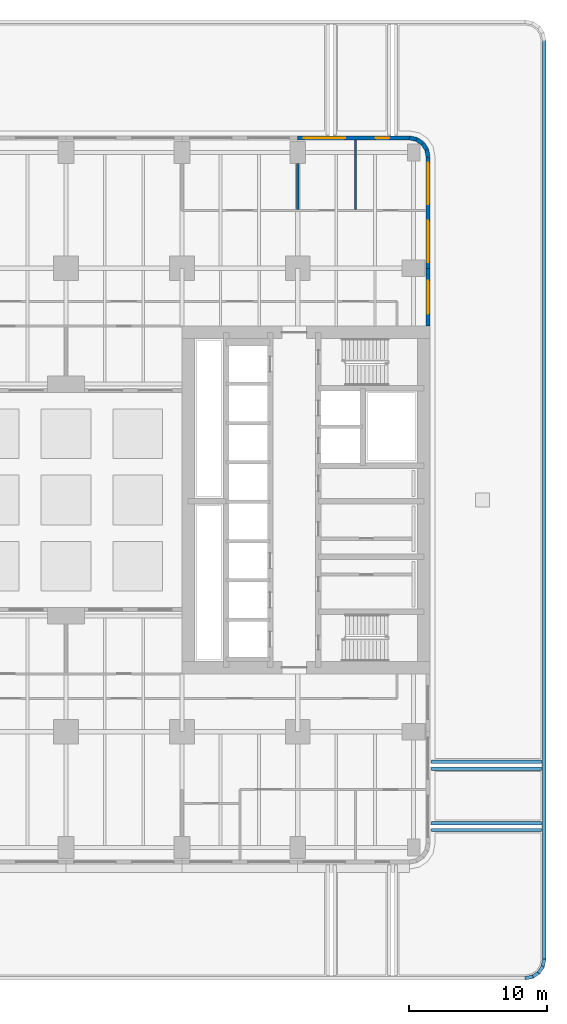
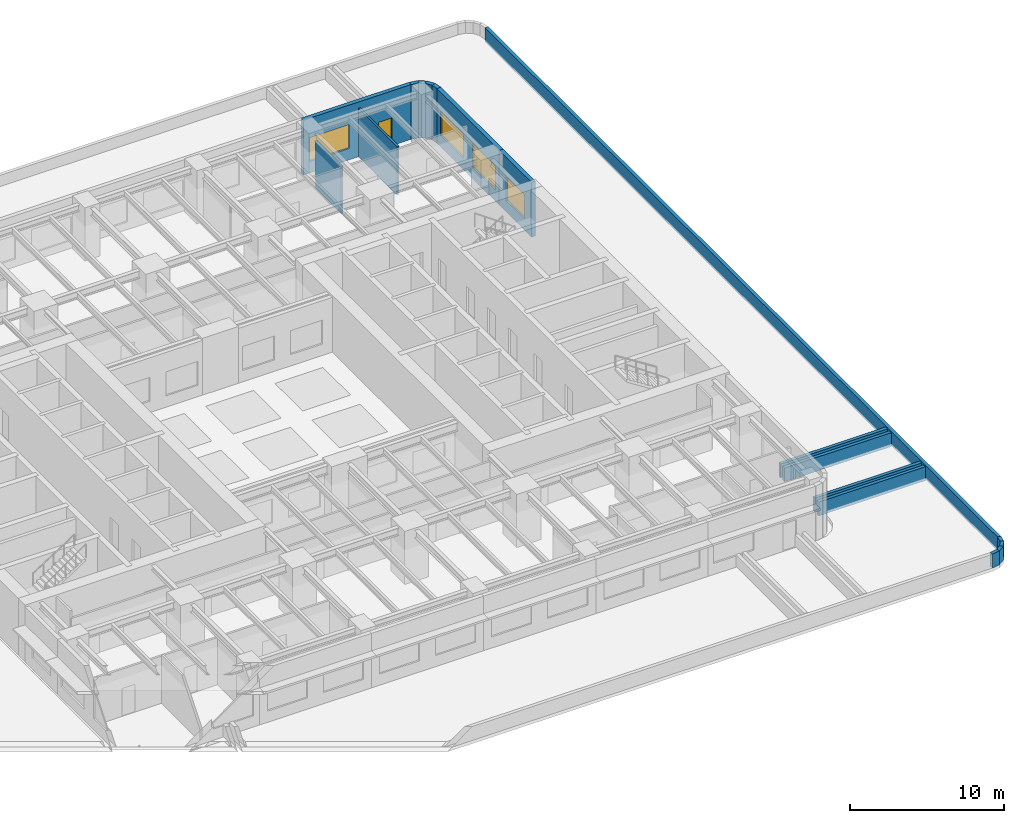
# One storey, part 9 of 17: 18 walls, 4 windows, 1 door, 5 openings.
"""IFC4 building model written with IfcOpenShell, lengths in metres."""

from ifc_helpers import new_model, si_unit, direction, frame, frame_2d, origin, place, context, subcontext, project, spatial, rectangle, extrude, material, layer, layer_set, type_object, element, fill, save


model = new_model("IFC4")

# Units and contexts
model_context = context("Model", 3, precision=1e-05, world=origin(), true_north=direction((0.0, 1.0)))
body_context = subcontext(model_context, "Body", "Model", "MODEL_VIEW")
ifc_project = project(units=[si_unit("LENGTHUNIT", "METRE"), si_unit("AREAUNIT", "SQUARE_METRE"), si_unit("VOLUMEUNIT", "CUBIC_METRE"), si_unit("PLANEANGLEUNIT", "RADIAN"), si_unit("MASSUNIT", "GRAM", prefix="KILO")], contexts=[model_context])

# Site, building, storey
site_placement = place(None, origin())
site = spatial("IfcSite", under=ifc_project, at=site_placement, CompositionType="ELEMENT")
building_placement = place(site_placement, origin())
building = spatial("IfcBuilding", under=site, at=building_placement, Name="Claustro Exchange Tower", CompositionType="ELEMENT")
storey_placement = place(building_placement, frame((0.0, 0.0, 18.89990234375)))
storey = spatial("IfcBuildingStorey", under=building, at=storey_placement, Name="L04", CompositionType="ELEMENT", Elevation=18.89990234375)

# Walls
ifc_material_1 = material(Name="Gypsum board on steel studs", Category="steel")
ifc_layer_1 = layer(ifc_material_1, 0.14990234375)
ifc_layer_set_1 = layer_set([ifc_layer_1], Name="Gypsum board on steel studs")
wall_type_1 = type_object("IfcWallType", Name="P1 150 plasterboard partition", PredefinedType="PARTITIONING", material=ifc_layer_set_1)
wall_1_placement = place(storey_placement, frame((42.0, 46.27392578125, 0.0), z_axis=(0.0, 0.0, 1.0), x_axis=(0.0, 1.0, 0.0)))
element("IfcWall", 1, at=wall_1_placement, inside=storey, type_object=wall_type_1, Name="Partition P1 L04", PredefinedType="PARTITIONING", context=body_context, shape_type="SweptSolid", body=[
    extrude(rectangle(XDim=3.3271484375, YDim=0.14990234375, at=frame_2d((1.66357421875, 0.0))), origin(), (0.0, 0.0, 1.0), 3.739990234375),
])
wall_2_placement = place(storey_placement, frame((46.199951171875, 46.27392578125, 0.0), z_axis=(0.0, 0.0, 1.0), x_axis=(0.0, 1.0, 0.0)))
element("IfcWall", 2, at=wall_2_placement, inside=storey, type_object=wall_type_1, Name="Partition P1 L04", PredefinedType="PARTITIONING", context=body_context, shape_type="SweptSolid", body=[
    extrude(rectangle(XDim=5.028076171875, YDim=0.14990234375, at=frame_2d((2.51416015625, 0.0))), origin(), (0.0, 0.0, 1.0), 3.840087890625),
])

# Wall, openings, door, window
ifc_material_2 = material(Name="Concrete HA-40 (C40/50), precast, white cement, acid-etched", Category="concrete")
ifc_layer_2 = layer(ifc_material_2, 0.300048828125)
ifc_layer_set_2 = layer_set([ifc_layer_2], Name="Concrete HA-40 (C40/50), precast, white cement, acid-etched")
wall_type_2 = type_object("IfcWallType", Name="PC1 300 precast concrete pier panel", PredefinedType="SOLIDWALL", material=ifc_layer_set_2)
wall_3_placement = place(storey_placement, frame((42.0, 51.449951171875, 0.0), z_axis=(0.0, 0.0, 1.0), x_axis=(1.0, 0.0, 0.0)))
wall_3 = element("IfcWall", 3, at=wall_3_placement, inside=storey, type_object=wall_type_2, Name="Precast pier panel PC1 L04", PredefinedType="SOLIDWALL", context=body_context, shape_type="SweptSolid", body=[
    extrude(rectangle(XDim=8.085205078125, YDim=0.300048828125, at=frame_2d((4.04248046875, 0.0))), origin(), (0.0, 0.0, 1.0), 4.340087890625),
])
opening_1_placement = place(wall_3_placement, frame((0.442626953125, 0.0, 0.89990234375)))
opening_1 = element("IfcOpeningElement", 4, at=opening_1_placement, cuts=wall_3, Name="Opening W1", PredefinedType="OPENING", context=body_context, shape_type="SweptSolid", body=[
    extrude(rectangle(XDim=3.0, YDim=1.89990234375, at=frame_2d((1.5, 0.949951171875))), frame((0.0, 0.159912109375, 0.0), z_axis=(0.0, -1.0, 0.0), x_axis=(1.0, 0.0, 0.0)), (0.0, 0.0, 1.0), 0.320068359375),
])
opening_2_placement = place(wall_3_placement, frame((5.642578125, 0.0, 0.0)))
opening_2 = element("IfcOpeningElement", 5, at=opening_2_placement, cuts=wall_3, Name="Opening DE2", PredefinedType="OPENING", context=body_context, shape_type="SweptSolid", body=[
    extrude(rectangle(XDim=1.0, YDim=2.199951171875, at=frame_2d((0.5, 1.10009765625))), frame((0.0, 0.159912109375, 0.0), z_axis=(0.0, -1.0, 0.0), x_axis=(1.0, 0.0, 0.0)), (0.0, 0.0, 1.0), 0.320068359375),
])
ifc_material_3 = material(Name="Steel door, painted", Category="steel")
door_type = type_object("IfcDoorType", Name="DE2 1000 x 2200 external single door", OperationType="SINGLE_SWING_LEFT", PredefinedType="DOOR", material=ifc_material_3)
door_placement = place(opening_2_placement, origin())
door = element("IfcDoor", 6, at=door_placement, inside=storey, type_object=door_type, Name="Podium roof access door L04", OperationType="SINGLE_SWING_RIGHT", OverallHeight=2.199951171875, OverallWidth=1.0, PredefinedType="DOOR", context=body_context, shape_type="SweptSolid", body=[
    extrude(rectangle(XDim=1.0, YDim=2.199951171875, at=frame_2d((0.5, 1.10009765625))), frame((0.0, 0.02490234375, 0.0), z_axis=(0.0, -1.0, 0.0), x_axis=(1.0, 0.0, 0.0)), (0.0, 0.0, 1.0), 0.050048828125),
])
fill(opening_2, door)
ifc_material_4 = material(Name="Aluminium frame, clear double glazing", Category="aluminium")
window_type_1 = type_object("IfcWindowType", Name="W1 3000 x 1900 window", PartitioningType="SINGLE_PANEL", PredefinedType="WINDOW", material=ifc_material_4)
window_1_placement = place(opening_1_placement, origin())
window_1 = element("IfcWindow", 7, at=window_1_placement, inside=storey, type_object=window_type_1, Name="Window W1 L04", OverallHeight=1.89990234375, OverallWidth=3.0, PartitioningType="SINGLE_PANEL", PredefinedType="WINDOW", context=body_context, shape_type="SweptSolid", body=[
    extrude(rectangle(XDim=3.0, YDim=1.89990234375, at=frame_2d((1.5, 0.949951171875))), frame((0.0, 0.030029296875, 0.0), z_axis=(0.0, -1.0, 0.0), x_axis=(1.0, 0.0, 0.0)), (0.0, 0.0, 1.0), 0.06005859375),
])
fill(opening_1, window_1)

# Walls
wall_4_placement = place(storey_placement, frame((50.085205078125, 51.449951171875, 0.0), z_axis=(0.0, 0.0, 1.0), x_axis=(0.980788534345, -0.195073962632, 0.0)))
element("IfcWall", 8, at=wall_4_placement, inside=storey, type_object=wall_type_2, Name="Precast pier panel PC1 L04", PredefinedType="SOLIDWALL", context=body_context, shape_type="SweptSolid", body=[
    extrude(rectangle(XDim=0.540771484375, YDim=0.300048828125, at=frame_2d((0.2705078125, 0.0))), origin(), (0.0, 0.0, 1.0), 4.340087890625),
])
for number, where, z_axis, x_axis, name in (
    (9, (50.615478515625, 51.344482421875, 0.0), (0.0, 0.0, 1.0), (0.831478144188, -0.555557463938, 0.0), "Precast pier panel PC1 L04"),
    (10, (51.052490234375, 51.052490234375, 0.0), (0.0, 0.0, 1.0), (0.555557463938, -0.831478144188, 0.0), "Precast pier panel PC1 L04"),
):
    element("IfcWall", number, at=place(storey_placement, frame(where, z_axis=z_axis, x_axis=x_axis)), inside=storey, type_object=wall_type_2, Name=name, PredefinedType="SOLIDWALL", context=body_context, shape_type="SweptSolid", body=[
        extrude(rectangle(XDim=0.525634765625, YDim=0.300048828125, at=frame_2d((0.2626953125, 0.0))), origin(), (0.0, 0.0, 1.0), 4.340087890625),
    ])
wall_5_placement = place(storey_placement, frame((51.344482421875, 50.615478515625, 0.0), z_axis=(0.0, 0.0, 1.0), x_axis=(0.195073962632, -0.980788534345, 0.0)))
element("IfcWall", 11, at=wall_5_placement, inside=storey, type_object=wall_type_2, Name="Precast pier panel PC1 L04", PredefinedType="SOLIDWALL", context=body_context, shape_type="SweptSolid", body=[
    extrude(rectangle(XDim=0.540771484375, YDim=0.300048828125, at=frame_2d((0.2705078125, 0.0))), origin(), (0.0, 0.0, 1.0), 4.340087890625),
])

# Wall, openings, windows
wall_6_placement = place(storey_placement, frame((51.449951171875, 50.085205078125, 0.0), z_axis=(0.0, 0.0, 1.0), x_axis=(0.0, -1.0, 0.0)))
wall_6 = element("IfcWall", 12, at=wall_6_placement, inside=storey, type_object=wall_type_2, Name="Precast pier panel PC1 L04", PredefinedType="SOLIDWALL", context=body_context, shape_type="SweptSolid", body=[
    extrude(rectangle(XDim=8.085205078125, YDim=0.300048828125, at=frame_2d((4.04248046875, 0.0))), origin(), (0.0, 0.0, 1.0), 4.340087890625),
])
opening_3_placement = place(wall_6_placement, frame((0.442626953125, 0.0, 0.89990234375)))
opening_3 = element("IfcOpeningElement", 13, at=opening_3_placement, cuts=wall_6, Name="Opening W1", PredefinedType="OPENING", context=body_context, shape_type="SweptSolid", body=[
    extrude(rectangle(XDim=3.0, YDim=1.89990234375, at=frame_2d((1.5, 0.949951171875))), frame((0.0, 0.159912109375, 0.0), z_axis=(0.0, -1.0, 0.0), x_axis=(1.0, 0.0, 0.0)), (0.0, 0.0, 1.0), 0.320068359375),
])
opening_4_placement = place(wall_6_placement, frame((4.642578125, 0.0, 0.89990234375)))
opening_4 = element("IfcOpeningElement", 14, at=opening_4_placement, cuts=wall_6, Name="Opening W1", PredefinedType="OPENING", context=body_context, shape_type="SweptSolid", body=[
    extrude(rectangle(XDim=3.0, YDim=1.89990234375, at=frame_2d((1.5, 0.949951171875))), frame((0.0, 0.159912109375, 0.0), z_axis=(0.0, -1.0, 0.0), x_axis=(1.0, 0.0, 0.0)), (0.0, 0.0, 1.0), 0.320068359375),
])
window_2_placement = place(opening_3_placement, origin())
window_2 = element("IfcWindow", 15, at=window_2_placement, inside=storey, type_object=window_type_1, Name="Window W1 L04", OverallHeight=1.89990234375, OverallWidth=3.0, PartitioningType="SINGLE_PANEL", PredefinedType="WINDOW", context=body_context, shape_type="SweptSolid", body=[
    extrude(rectangle(XDim=3.0, YDim=1.89990234375, at=frame_2d((1.5, 0.949951171875))), frame((0.0, 0.030029296875, 0.0), z_axis=(0.0, -1.0, 0.0), x_axis=(1.0, 0.0, 0.0)), (0.0, 0.0, 1.0), 0.06005859375),
])
fill(opening_3, window_2)
window_3_placement = place(opening_4_placement, origin())
window_3 = element("IfcWindow", 16, at=window_3_placement, inside=storey, type_object=window_type_1, Name="Window W1 L04", OverallHeight=1.89990234375, OverallWidth=3.0, PartitioningType="SINGLE_PANEL", PredefinedType="WINDOW", context=body_context, shape_type="SweptSolid", body=[
    extrude(rectangle(XDim=3.0, YDim=1.89990234375, at=frame_2d((1.5, 0.949951171875))), frame((0.0, 0.030029296875, 0.0), z_axis=(0.0, -1.0, 0.0), x_axis=(1.0, 0.0, 0.0)), (0.0, 0.0, 1.0), 0.06005859375),
])
fill(opening_4, window_3)

# Wall, opening, window
wall_7_placement = place(storey_placement, frame((51.449951171875, 42.0, 0.0), z_axis=(0.0, 0.0, 1.0), x_axis=(0.0, -1.0, 0.0)))
wall_7 = element("IfcWall", 17, at=wall_7_placement, inside=storey, type_object=wall_type_2, Name="Precast pier panel PC1 L04", PredefinedType="SOLIDWALL", context=body_context, shape_type="SweptSolid", body=[
    extrude(rectangle(XDim=4.199951171875, YDim=0.300048828125, at=frame_2d((2.10009765625, 0.0))), origin(), (0.0, 0.0, 1.0), 4.340087890625),
])
opening_5_placement = place(wall_7_placement, frame((0.89990234375, 0.0, 0.89990234375)))
opening_5 = element("IfcOpeningElement", 18, at=opening_5_placement, cuts=wall_7, Name="Opening W2", PredefinedType="OPENING", context=body_context, shape_type="SweptSolid", body=[
    extrude(rectangle(XDim=2.39990234375, YDim=1.89990234375, at=frame_2d((1.199951171875, 0.949951171875))), frame((0.0, 0.159912109375, 0.0), z_axis=(0.0, -1.0, 0.0), x_axis=(1.0, 0.0, 0.0)), (0.0, 0.0, 1.0), 0.320068359375),
])
ifc_material_5 = material(Name="Aluminium frame, clear double glazing", Category="aluminium")
window_type_2 = type_object("IfcWindowType", Name="W2 2400 x 1900 window", PartitioningType="SINGLE_PANEL", PredefinedType="WINDOW", material=ifc_material_5)
window_4_placement = place(opening_5_placement, origin())
window_4 = element("IfcWindow", 19, at=window_4_placement, inside=storey, type_object=window_type_2, Name="Window W2 L04", OverallHeight=1.89990234375, OverallWidth=2.39990234375, PartitioningType="SINGLE_PANEL", PredefinedType="WINDOW", context=body_context, shape_type="SweptSolid", body=[
    extrude(rectangle(XDim=2.39990234375, YDim=1.89990234375, at=frame_2d((1.199951171875, 0.949951171875))), frame((0.0, 0.030029296875, 0.0), z_axis=(0.0, -1.0, 0.0), x_axis=(1.0, 0.0, 0.0)), (0.0, 0.0, 1.0), 0.06005859375),
])
fill(opening_5, window_4)

# Walls
ifc_material_6 = material(Name="Concrete HA-40 (C40/50), precast, white cement, acid-etched", Category="concrete")
ifc_layer_3 = layer(ifc_material_6, 0.25)
ifc_layer_set_3 = layer_set([ifc_layer_3], Name="Concrete HA-40 (C40/50), precast, white cement, acid-etched")
wall_type_3 = type_object("IfcWallType", Name="PP1 250 precast concrete parapet", PredefinedType="PARAPET", material=ifc_layer_set_3)
wall_8_placement = place(storey_placement, frame((59.875, 58.5, 0.0), z_axis=(0.0, 0.0, 1.0), x_axis=(0.0, -1.0, 0.0)))
element("IfcWall", 20, at=wall_8_placement, inside=storey, type_object=wall_type_3, Name="Parapet PP1 roof at +18.900", PredefinedType="PARAPET", context=body_context, shape_type="SweptSolid", body=[
    extrude(rectangle(XDim=66.60009765625, YDim=0.25, at=frame_2d((33.300048828125, 0.0))), origin(), (0.0, 0.0, 1.0), 1.10009765625),
])
wall_9_placement = place(storey_placement, frame((59.87744140625, -8.07568359375, 0.0), z_axis=(0.0, 0.0, 1.0), x_axis=(-0.195233589627, -0.980756771825, 0.0)))
element("IfcWall", 21, at=wall_9_placement, inside=storey, type_object=wall_type_3, Name="Parapet PP1 roof at +18.900", PredefinedType="PARAPET", context=body_context, shape_type="SweptSolid", body=[
    extrude(rectangle(XDim=0.585205078125, YDim=0.25, at=frame_2d((0.29248046875, 0.0))), origin(), (0.0, 0.0, 1.0), 1.10009765625),
])
wall_10_placement = place(storey_placement, frame((59.781982421875, -8.6044921875, 0.0), z_axis=(0.0, 0.0, 1.0), x_axis=(-0.555469840741, -0.831536683512, 0.0)))
element("IfcWall", 22, at=wall_10_placement, inside=storey, type_object=wall_type_3, Name="Parapet PP1 roof at +18.900", PredefinedType="PARAPET", context=body_context, shape_type="SweptSolid", body=[
    extrude(rectangle(XDim=0.58544921875, YDim=0.25, at=frame_2d((0.292724609375, 0.0))), origin(), (0.0, 0.0, 1.0), 1.10009765625),
])
for number, where, z_axis, x_axis, name in (
    (23, (59.4912109375, -9.056884765625, 0.0), (0.0, 0.0, 1.0), (-0.831600663598, -0.555374050802, 0.0), "Parapet PP1 roof at +18.900"),
    (24, (59.049560546875, -9.36328125, 0.0), (0.0, 0.0, 1.0), (-0.980836573739, -0.1948322756, 0.0), "Parapet PP1 roof at +18.900"),
):
    element("IfcWall", number, at=place(storey_placement, frame(where, z_axis=z_axis, x_axis=x_axis)), inside=storey, type_object=wall_type_3, Name=name, PredefinedType="PARAPET", context=body_context, shape_type="SweptSolid", body=[
        extrude(rectangle(XDim=0.585205078125, YDim=0.25, at=frame_2d((0.29248046875, 0.0))), origin(), (0.0, 0.0, 1.0), 1.10009765625),
    ])
for number, where, z_axis, x_axis, name in (
    (25, (51.679931640625, 1.27490234375, 0.0), (0.0, 0.0, 1.0), (1.0, 0.0, 0.0), "Parapet PP1 roof at +18.900"),
    (26, (59.679931640625, 1.77490234375, 0.0), (0.0, 0.0, 1.0), (-1.0, 0.0, 0.0), "Parapet PP1 roof at +18.900"),
    (27, (51.679931640625, 5.72509765625, 0.0), (0.0, 0.0, 1.0), (1.0, 0.0, 0.0), "Parapet PP1 roof at +18.900"),
    (28, (59.679931640625, 6.22509765625, 0.0), (0.0, 0.0, 1.0), (-1.0, 0.0, 0.0), "Parapet PP1 roof at +18.900"),
):
    element("IfcWall", number, at=place(storey_placement, frame(where, z_axis=z_axis, x_axis=x_axis)), inside=storey, type_object=wall_type_3, Name=name, PredefinedType="PARAPET", context=body_context, shape_type="SweptSolid", body=[
        extrude(rectangle(XDim=8.0, YDim=0.25, at=frame_2d((4.0, 0.0))), origin(), (0.0, 0.0, 1.0), 1.10009765625),
    ])

save(model, "model.ifc")
